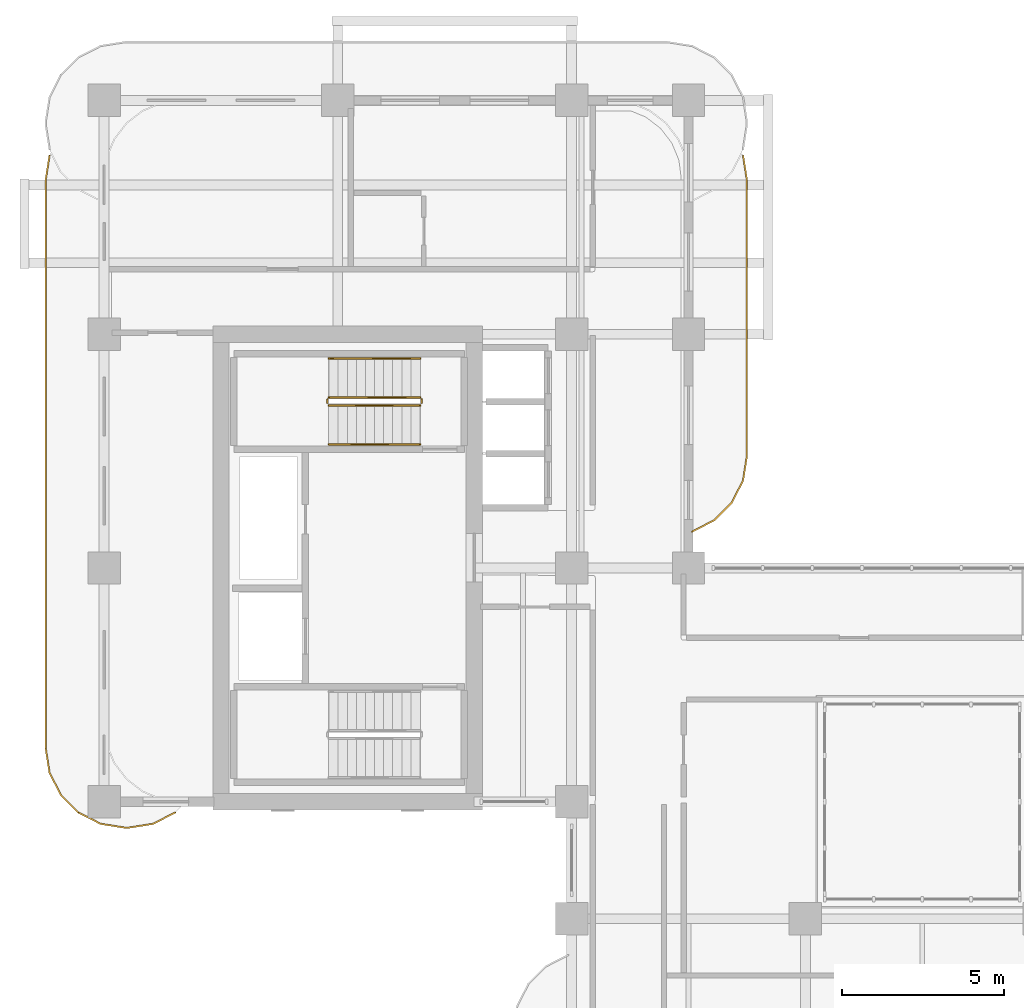
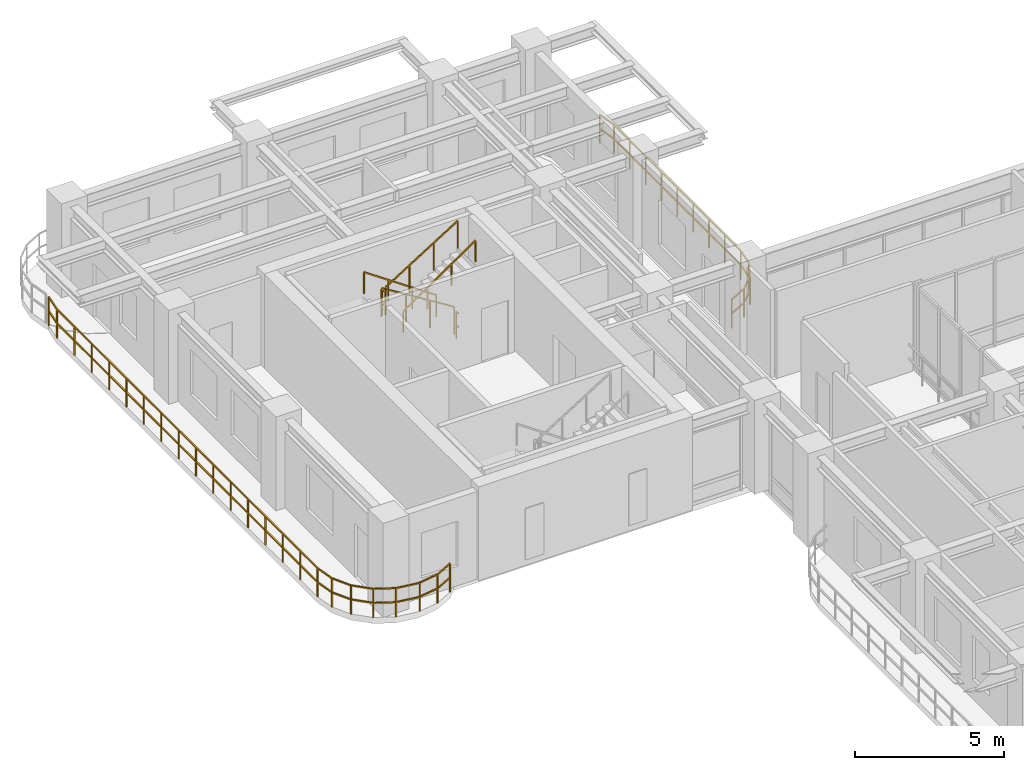
# One storey, part 20 of 21: 8 railings.
"""IFC4 building model written with IfcOpenShell, lengths in metres."""

from ifc_helpers import new_model, si_unit, derived_unit, direction, frame, origin, origin_2d, place, context, subcontext, project, spatial, rectangle, extrude, material, type_object, element, save


model = new_model("IFC4")

# Units and contexts
model_context = context("Model", 3, precision=1e-05, world=origin(), true_north=direction((0.0, 1.0)))
body_context = subcontext(model_context, "Body", "Model", "MODEL_VIEW")
ifc_project = project(units=[si_unit("LENGTHUNIT", "METRE"), si_unit("AREAUNIT", "SQUARE_METRE"), si_unit("VOLUMEUNIT", "CUBIC_METRE"), si_unit("PLANEANGLEUNIT", "RADIAN"), si_unit("MASSUNIT", "GRAM", prefix="KILO"), si_unit("THERMODYNAMICTEMPERATUREUNIT", "KELVIN"), si_unit("POWERUNIT", "WATT"), derived_unit("THERMALTRANSMITTANCEUNIT", [(si_unit("POWERUNIT", "WATT"), 1), (si_unit("AREAUNIT", "SQUARE_METRE"), -1), (si_unit("THERMODYNAMICTEMPERATUREUNIT", "KELVIN"), -1)])], contexts=[model_context])

# Site, building, storey
site_placement = place(None, origin())
site = spatial("IfcSite", under=ifc_project, at=site_placement, CompositionType="ELEMENT")
building_placement = place(site_placement, origin())
building = spatial("IfcBuilding", under=site, at=building_placement, Name="Zahravan Archway Hotel and Residences", CompositionType="ELEMENT")
storey_placement = place(building_placement, frame((0.0, 0.0, 165.699951171875)))
storey = spatial("IfcBuildingStorey", under=building, at=storey_placement, Name="L41", CompositionType="ELEMENT", Elevation=165.699951171875)

# Railings
ifc_material_1 = material(Name="Bronze & Laminated Glass Balustrade", Category="glass")
railing_type_1 = type_object("IfcRailingType", Name="RL-BAL-1200", PredefinedType="BALUSTRADE", material=ifc_material_1)
railing_1_placement = place(storey_placement, frame((2.190185546875, 24.867919921875, 0.0)))
element("IfcRailing", 1, at=railing_1_placement, inside=storey, type_object=railing_type_1, Name="L41 Balustrade RL-SLB-BAL-L41-WB-1", PredefinedType="BALUSTRADE", context=body_context, shape_type="SweptSolid", body=[
    extrude(rectangle(XDim=0.048095703125, YDim=0.048095703125, at=origin_2d()), frame((0.0, 0.0, 1.17578125), z_axis=(-0.891090529897, -0.453825591531, 0.0), x_axis=(0.453825591531, -0.891090529897, 0.0)), (0.0, 0.0, 1.0), 0.7666015625),
    extrude(rectangle(XDim=0.048095703125, YDim=0.048095703125, at=origin_2d()), frame((0.0, 0.0, 0.60009765625), z_axis=(-0.891090529897, -0.453825591531, 0.0), x_axis=(0.453825591531, -0.891090529897, 0.0)), (0.0, 0.0, 1.0), 0.7666015625),
    extrude(rectangle(XDim=0.048095703125, YDim=0.048095703125, at=origin_2d()), frame((-0.68310546875, -0.347900390625, 1.17578125), z_axis=(-0.987646484274, -0.156698507018, 0.0), x_axis=(0.156698507018, -0.987646484274, 0.0)), (0.0, 0.0, 1.0), 0.7666015625),
    extrude(rectangle(XDim=0.048095703125, YDim=0.048095703125, at=origin_2d()), frame((-0.68310546875, -0.347900390625, 0.60009765625), z_axis=(-0.987646484274, -0.156698507018, 0.0), x_axis=(0.156698507018, -0.987646484274, 0.0)), (0.0, 0.0, 1.0), 0.7666015625),
    extrude(rectangle(XDim=0.048095703125, YDim=0.048095703125, at=origin_2d()), frame((-1.440185546875, -0.468017578125, 1.17578125), z_axis=(-1.0, 0.0, 0.0), x_axis=(0.0, -1.0, 0.0)), (0.0, 0.0, 1.0), 0.10009765625),
    extrude(rectangle(XDim=0.048095703125, YDim=0.048095703125, at=origin_2d()), frame((-1.440185546875, -0.468017578125, 0.60009765625), z_axis=(-1.0, 0.0, 0.0), x_axis=(0.0, -1.0, 0.0)), (0.0, 0.0, 1.0), 0.10009765625),
    extrude(rectangle(XDim=0.048095703125, YDim=0.048095703125, at=origin_2d()), frame((-1.540283203125, -0.468017578125, 1.17578125), z_axis=(-0.987646484274, 0.156698507018, 0.0), x_axis=(-0.156698507018, -0.987646484274, 0.0)), (0.0, 0.0, 1.0), 0.7666015625),
    extrude(rectangle(XDim=0.048095703125, YDim=0.048095703125, at=origin_2d()), frame((-1.540283203125, -0.468017578125, 0.60009765625), z_axis=(-0.987646484274, 0.156698507018, 0.0), x_axis=(-0.156698507018, -0.987646484274, 0.0)), (0.0, 0.0, 1.0), 0.7666015625),
    extrude(rectangle(XDim=0.048095703125, YDim=0.048095703125, at=origin_2d()), frame((-2.29736328125, -0.347900390625, 1.17578125), z_axis=(-0.891024909783, 0.453954414172, 0.0), x_axis=(-0.453954414172, -0.891024909783, 0.0)), (0.0, 0.0, 1.0), 0.766357421875),
    extrude(rectangle(XDim=0.048095703125, YDim=0.048095703125, at=origin_2d()), frame((-2.29736328125, -0.347900390625, 0.60009765625), z_axis=(-0.891024909783, 0.453954414172, 0.0), x_axis=(-0.453954414172, -0.891024909783, 0.0)), (0.0, 0.0, 1.0), 0.766357421875),
    extrude(rectangle(XDim=0.048095703125, YDim=0.048095703125, at=origin_2d()), frame((-2.980224609375, 0.0, 1.17578125), z_axis=(-0.707106781187, 0.707106781187, 0.0), x_axis=(-0.707106781187, -0.707106781187, 0.0)), (0.0, 0.0, 1.0), 0.7666015625),
    extrude(rectangle(XDim=0.048095703125, YDim=0.048095703125, at=origin_2d()), frame((-2.980224609375, 0.0, 0.60009765625), z_axis=(-0.707106781187, 0.707106781187, 0.0), x_axis=(-0.707106781187, -0.707106781187, 0.0)), (0.0, 0.0, 1.0), 0.7666015625),
    extrude(rectangle(XDim=0.048095703125, YDim=0.048095703125, at=origin_2d()), frame((-3.522216796875, 0.5419921875, 1.17578125), z_axis=(-0.454078418624, 0.890961721815, 0.0), x_axis=(-0.890961721815, -0.454078418624, 0.0)), (0.0, 0.0, 1.0), 0.7666015625),
    extrude(rectangle(XDim=0.048095703125, YDim=0.048095703125, at=origin_2d()), frame((-3.522216796875, 0.5419921875, 0.60009765625), z_axis=(-0.454078418624, 0.890961721815, 0.0), x_axis=(-0.890961721815, -0.454078418624, 0.0)), (0.0, 0.0, 1.0), 0.7666015625),
    extrude(rectangle(XDim=0.048095703125, YDim=0.048095703125, at=origin_2d()), frame((-3.870361328125, 1.22509765625, 1.17578125), z_axis=(-0.156387811283, 0.987695728695, 0.0), x_axis=(-0.987695728695, -0.156387811283, 0.0)), (0.0, 0.0, 1.0), 0.7666015625),
    extrude(rectangle(XDim=0.048095703125, YDim=0.048095703125, at=origin_2d()), frame((-3.870361328125, 1.22509765625, 0.60009765625), z_axis=(-0.156387811283, 0.987695728695, 0.0), x_axis=(-0.987695728695, -0.156387811283, 0.0)), (0.0, 0.0, 1.0), 0.7666015625),
    extrude(rectangle(XDim=0.048095703125, YDim=0.048095703125, at=origin_2d()), frame((-3.990234375, 1.982177734375, 1.17578125), z_axis=(0.0, 1.0, 0.0), x_axis=(-1.0, 0.0, 0.0)), (0.0, 0.0, 1.0), 17.5),
    extrude(rectangle(XDim=0.048095703125, YDim=0.048095703125, at=origin_2d()), frame((-3.990234375, 1.982177734375, 0.60009765625), z_axis=(0.0, 1.0, 0.0), x_axis=(-1.0, 0.0, 0.0)), (0.0, 0.0, 1.0), 17.5),
    extrude(rectangle(XDim=0.048095703125, YDim=0.048095703125, at=origin_2d()), frame((-3.990234375, 19.482177734375, 1.17578125), z_axis=(0.156387811283, 0.987695728695, 0.0), x_axis=(-0.987695728695, 0.156387811283, 0.0)), (0.0, 0.0, 1.0), 0.7666015625),
    extrude(rectangle(XDim=0.048095703125, YDim=0.048095703125, at=origin_2d()), frame((-3.990234375, 19.482177734375, 0.60009765625), z_axis=(0.156387811283, 0.987695728695, 0.0), x_axis=(-0.987695728695, 0.156387811283, 0.0)), (0.0, 0.0, 1.0), 0.7666015625),
    extrude(rectangle(XDim=0.0419921875, YDim=0.0419921875, at=origin_2d()), origin(), (0.0, 0.0, 1.0), 1.15185546875),
    extrude(rectangle(XDim=0.0419921875, YDim=0.0419921875, at=origin_2d()), frame((-0.68310546875, -0.347900390625, 0.0)), (0.0, 0.0, 1.0), 1.15185546875),
    extrude(rectangle(XDim=0.0419921875, YDim=0.0419921875, at=origin_2d()), frame((-1.440185546875, -0.468017578125, 0.0)), (0.0, 0.0, 1.0), 1.15185546875),
    extrude(rectangle(XDim=0.0419921875, YDim=0.0419921875, at=origin_2d()), frame((-2.29736328125, -0.347900390625, 0.0)), (0.0, 0.0, 1.0), 1.15185546875),
    extrude(rectangle(XDim=0.0419921875, YDim=0.0419921875, at=origin_2d()), frame((-2.980224609375, 0.0, 0.0)), (0.0, 0.0, 1.0), 1.15185546875),
    extrude(rectangle(XDim=0.0419921875, YDim=0.0419921875, at=origin_2d()), frame((-3.522216796875, 0.5419921875, 0.0)), (0.0, 0.0, 1.0), 1.15185546875),
    extrude(rectangle(XDim=0.0419921875, YDim=0.0419921875, at=origin_2d()), frame((-3.870361328125, 1.22509765625, 0.0)), (0.0, 0.0, 1.0), 1.15185546875),
    extrude(rectangle(XDim=0.0419921875, YDim=0.0419921875, at=origin_2d()), frame((-3.990234375, 1.982177734375, 0.0)), (0.0, 0.0, 1.0), 1.15185546875),
    extrude(rectangle(XDim=0.0419921875, YDim=0.0419921875, at=origin_2d()), frame((-3.990234375, 3.14892578125, 0.0)), (0.0, 0.0, 1.0), 1.15185546875),
    extrude(rectangle(XDim=0.0419921875, YDim=0.0419921875, at=origin_2d()), frame((-3.990234375, 4.3154296875, 0.0)), (0.0, 0.0, 1.0), 1.15185546875),
    extrude(rectangle(XDim=0.0419921875, YDim=0.0419921875, at=origin_2d()), frame((-3.990234375, 5.482177734375, 0.0)), (0.0, 0.0, 1.0), 1.15185546875),
    extrude(rectangle(XDim=0.0419921875, YDim=0.0419921875, at=origin_2d()), frame((-3.990234375, 6.64892578125, 0.0)), (0.0, 0.0, 1.0), 1.15185546875),
    extrude(rectangle(XDim=0.0419921875, YDim=0.0419921875, at=origin_2d()), frame((-3.990234375, 7.8154296875, 0.0)), (0.0, 0.0, 1.0), 1.15185546875),
    extrude(rectangle(XDim=0.0419921875, YDim=0.0419921875, at=origin_2d()), frame((-3.990234375, 8.982177734375, 0.0)), (0.0, 0.0, 1.0), 1.15185546875),
    extrude(rectangle(XDim=0.0419921875, YDim=0.0419921875, at=origin_2d()), frame((-3.990234375, 10.14892578125, 0.0)), (0.0, 0.0, 1.0), 1.15185546875),
    extrude(rectangle(XDim=0.0419921875, YDim=0.0419921875, at=origin_2d()), frame((-3.990234375, 11.3154296875, 0.0)), (0.0, 0.0, 1.0), 1.15185546875),
    extrude(rectangle(XDim=0.0419921875, YDim=0.0419921875, at=origin_2d()), frame((-3.990234375, 12.482177734375, 0.0)), (0.0, 0.0, 1.0), 1.15185546875),
    extrude(rectangle(XDim=0.0419921875, YDim=0.0419921875, at=origin_2d()), frame((-3.990234375, 13.64892578125, 0.0)), (0.0, 0.0, 1.0), 1.15185546875),
    extrude(rectangle(XDim=0.0419921875, YDim=0.0419921875, at=origin_2d()), frame((-3.990234375, 14.8154296875, 0.0)), (0.0, 0.0, 1.0), 1.15185546875),
    extrude(rectangle(XDim=0.0419921875, YDim=0.0419921875, at=origin_2d()), frame((-3.990234375, 15.982177734375, 0.0)), (0.0, 0.0, 1.0), 1.15185546875),
    extrude(rectangle(XDim=0.0419921875, YDim=0.0419921875, at=origin_2d()), frame((-3.990234375, 17.14892578125, 0.0)), (0.0, 0.0, 1.0), 1.15185546875),
    extrude(rectangle(XDim=0.0419921875, YDim=0.0419921875, at=origin_2d()), frame((-3.990234375, 18.3154296875, 0.0)), (0.0, 0.0, 1.0), 1.15185546875),
    extrude(rectangle(XDim=0.0419921875, YDim=0.0419921875, at=origin_2d()), frame((-3.990234375, 19.482177734375, 0.0)), (0.0, 0.0, 1.0), 1.15185546875),
    extrude(rectangle(XDim=0.0419921875, YDim=0.0419921875, at=origin_2d()), frame((-3.870361328125, 20.2392578125, 0.0)), (0.0, 0.0, 1.0), 1.15185546875),
])
railing_2_placement = place(storey_placement, frame((19.68017578125, 45.107177734375, 0.0)))
element("IfcRailing", 2, at=railing_2_placement, inside=storey, type_object=railing_type_1, Name="L41 Balustrade RL-SLB-BAL-L41-EB-1", PredefinedType="BALUSTRADE", context=body_context, shape_type="SweptSolid", body=[
    extrude(rectangle(XDim=0.048095703125, YDim=0.048095703125, at=origin_2d()), frame((0.0, 0.0, 1.17578125), z_axis=(0.156387811283, -0.987695728695, 0.0), x_axis=(0.987695728695, 0.156387811283, 0.0)), (0.0, 0.0, 1.0), 0.7666015625),
    extrude(rectangle(XDim=0.048095703125, YDim=0.048095703125, at=origin_2d()), frame((0.0, 0.0, 0.60009765625), z_axis=(0.156387811283, -0.987695728695, 0.0), x_axis=(0.987695728695, 0.156387811283, 0.0)), (0.0, 0.0, 1.0), 0.7666015625),
    extrude(rectangle(XDim=0.048095703125, YDim=0.048095703125, at=origin_2d()), frame((0.119873046875, -0.757080078125, 1.17578125), z_axis=(0.0, -1.0, 0.0), x_axis=(1.0, 0.0, 0.0)), (0.0, 0.0, 1.0), 8.5),
    extrude(rectangle(XDim=0.048095703125, YDim=0.048095703125, at=origin_2d()), frame((0.119873046875, -0.757080078125, 0.60009765625), z_axis=(0.0, -1.0, 0.0), x_axis=(1.0, 0.0, 0.0)), (0.0, 0.0, 1.0), 8.5),
    extrude(rectangle(XDim=0.048095703125, YDim=0.048095703125, at=origin_2d()), frame((0.119873046875, -9.257080078125, 1.17578125), z_axis=(-0.156387811283, -0.987695728695, 0.0), x_axis=(0.987695728695, -0.156387811283, 0.0)), (0.0, 0.0, 1.0), 0.7666015625),
    extrude(rectangle(XDim=0.048095703125, YDim=0.048095703125, at=origin_2d()), frame((0.119873046875, -9.257080078125, 0.60009765625), z_axis=(-0.156387811283, -0.987695728695, 0.0), x_axis=(0.987695728695, -0.156387811283, 0.0)), (0.0, 0.0, 1.0), 0.7666015625),
    extrude(rectangle(XDim=0.048095703125, YDim=0.048095703125, at=origin_2d()), frame((0.0, -10.01416015625, 1.17578125), z_axis=(-0.454078418624, -0.890961721815, 0.0), x_axis=(0.890961721815, -0.454078418624, 0.0)), (0.0, 0.0, 1.0), 0.7666015625),
    extrude(rectangle(XDim=0.048095703125, YDim=0.048095703125, at=origin_2d()), frame((0.0, -10.01416015625, 0.60009765625), z_axis=(-0.454078418624, -0.890961721815, 0.0), x_axis=(0.890961721815, -0.454078418624, 0.0)), (0.0, 0.0, 1.0), 0.7666015625),
    extrude(rectangle(XDim=0.048095703125, YDim=0.048095703125, at=origin_2d()), frame((-0.34814453125, -10.697265625, 1.17578125), z_axis=(-0.707106781187, -0.707106781187, 0.0), x_axis=(0.707106781187, -0.707106781187, 0.0)), (0.0, 0.0, 1.0), 0.7666015625),
    extrude(rectangle(XDim=0.048095703125, YDim=0.048095703125, at=origin_2d()), frame((-0.34814453125, -10.697265625, 0.60009765625), z_axis=(-0.707106781187, -0.707106781187, 0.0), x_axis=(0.707106781187, -0.707106781187, 0.0)), (0.0, 0.0, 1.0), 0.7666015625),
    extrude(rectangle(XDim=0.048095703125, YDim=0.048095703125, at=origin_2d()), frame((-0.89013671875, -11.2392578125, 1.17578125), z_axis=(-0.891024909783, -0.453954414172, 0.0), x_axis=(0.453954414172, -0.891024909783, 0.0)), (0.0, 0.0, 1.0), 0.766357421875),
    extrude(rectangle(XDim=0.048095703125, YDim=0.048095703125, at=origin_2d()), frame((-0.89013671875, -11.2392578125, 0.60009765625), z_axis=(-0.891024909783, -0.453954414172, 0.0), x_axis=(0.453954414172, -0.891024909783, 0.0)), (0.0, 0.0, 1.0), 0.766357421875),
    extrude(rectangle(XDim=0.0419921875, YDim=0.0419921875, at=origin_2d()), origin(), (0.0, 0.0, 1.0), 1.15185546875),
    extrude(rectangle(XDim=0.0419921875, YDim=0.0419921875, at=origin_2d()), frame((0.119873046875, -0.757080078125, 0.0)), (0.0, 0.0, 1.0), 1.15185546875),
    extrude(rectangle(XDim=0.0419921875, YDim=0.0419921875, at=origin_2d()), frame((0.119873046875, -1.819580078125, 0.0)), (0.0, 0.0, 1.0), 1.15185546875),
    extrude(rectangle(XDim=0.0419921875, YDim=0.0419921875, at=origin_2d()), frame((0.119873046875, -2.882080078125, 0.0)), (0.0, 0.0, 1.0), 1.15185546875),
    extrude(rectangle(XDim=0.0419921875, YDim=0.0419921875, at=origin_2d()), frame((0.119873046875, -3.944580078125, 0.0)), (0.0, 0.0, 1.0), 1.15185546875),
    extrude(rectangle(XDim=0.0419921875, YDim=0.0419921875, at=origin_2d()), frame((0.119873046875, -5.007080078125, 0.0)), (0.0, 0.0, 1.0), 1.15185546875),
    extrude(rectangle(XDim=0.0419921875, YDim=0.0419921875, at=origin_2d()), frame((0.119873046875, -6.069580078125, 0.0)), (0.0, 0.0, 1.0), 1.15185546875),
    extrude(rectangle(XDim=0.0419921875, YDim=0.0419921875, at=origin_2d()), frame((0.119873046875, -7.132080078125, 0.0)), (0.0, 0.0, 1.0), 1.15185546875),
    extrude(rectangle(XDim=0.0419921875, YDim=0.0419921875, at=origin_2d()), frame((0.119873046875, -8.194580078125, 0.0)), (0.0, 0.0, 1.0), 1.15185546875),
    extrude(rectangle(XDim=0.0419921875, YDim=0.0419921875, at=origin_2d()), frame((0.119873046875, -9.257080078125, 0.0)), (0.0, 0.0, 1.0), 1.15185546875),
    extrude(rectangle(XDim=0.0419921875, YDim=0.0419921875, at=origin_2d()), frame((0.0, -10.01416015625, 0.0)), (0.0, 0.0, 1.0), 1.15185546875),
    extrude(rectangle(XDim=0.0419921875, YDim=0.0419921875, at=origin_2d()), frame((-0.34814453125, -10.697265625, 0.0)), (0.0, 0.0, 1.0), 1.15185546875),
    extrude(rectangle(XDim=0.0419921875, YDim=0.0419921875, at=origin_2d()), frame((-0.89013671875, -11.2392578125, 0.0)), (0.0, 0.0, 1.0), 1.15185546875),
    extrude(rectangle(XDim=0.0419921875, YDim=0.0419921875, at=origin_2d()), frame((-1.572998046875, -11.587158203125, 0.0)), (0.0, 0.0, 1.0), 1.15185546875),
])
ifc_material_2 = material(Name="Painted Tubular Steel", Category="steel")
railing_type_2 = type_object("IfcRailingType", Name="RL-STG-1150", PredefinedType="GUARDRAIL", material=ifc_material_2)
railing_3_placement = place(storey_placement, frame((9.72998046875, 37.64990234375, 0.175048828125)))
element("IfcRailing", 3, at=railing_3_placement, inside=storey, type_object=railing_type_2, Name="L41 ST-B2 stair guard 1", PredefinedType="GUARDRAIL", context=body_context, shape_type="SweptSolid", body=[
    extrude(rectangle(XDim=0.048095703125, YDim=0.048095703125, at=origin_2d()), frame((0.0, 0.0, 1.1259765625), z_axis=(-0.848002457836, 0.0, 0.529992293815), x_axis=(0.0, -1.0, 0.0)), (0.0, 0.0, 1.0), 3.302001953125),
    extrude(rectangle(XDim=0.0419921875, YDim=0.0419921875, at=origin_2d()), origin(), (0.0, 0.0, 1.0), 1.101806640625),
    extrude(rectangle(XDim=0.0419921875, YDim=0.0419921875, at=origin_2d()), frame((-0.933349609375, 0.0, 0.583251953125)), (0.0, 0.0, 1.0), 1.101806640625),
    extrude(rectangle(XDim=0.0419921875, YDim=0.0419921875, at=origin_2d()), frame((-1.86669921875, 0.0, 1.166748046875)), (0.0, 0.0, 1.0), 1.101806640625),
    extrude(rectangle(XDim=0.0419921875, YDim=0.0419921875, at=origin_2d()), frame((-2.800048828125, 0.0, 1.75)), (0.0, 0.0, 1.0), 1.101806640625),
])
railing_4_placement = place(storey_placement, frame((6.8798828125, 37.60009765625, 1.925048828125)))
element("IfcRailing", 4, at=railing_4_placement, inside=storey, type_object=railing_type_2, Name="L41 ST-B2 stair guard 2", PredefinedType="GUARDRAIL", context=body_context, shape_type="SweptSolid", body=[
    extrude(rectangle(XDim=0.048095703125, YDim=0.048095703125, at=origin_2d()), frame((0.0, 0.0, 1.1259765625), z_axis=(0.0, -1.0, 0.0), x_axis=(1.0, 0.0, 0.0)), (0.0, 0.0, 1.0), 0.14013671875),
    extrude(rectangle(XDim=0.048095703125, YDim=0.048095703125, at=origin_2d()), frame((0.0, 0.0, 0.574951171875), z_axis=(0.0, -1.0, 0.0), x_axis=(1.0, 0.0, 0.0)), (0.0, 0.0, 1.0), 0.14013671875),
    extrude(rectangle(XDim=0.0419921875, YDim=0.0419921875, at=origin_2d()), origin(), (0.0, 0.0, 1.0), 1.101806640625),
])
railing_5_placement = place(storey_placement, frame((6.929931640625, 37.409912109375, 2.10009765625)))
element("IfcRailing", 5, at=railing_5_placement, inside=storey, type_object=railing_type_2, Name="L41 ST-B2 stair guard 3", PredefinedType="GUARDRAIL", context=body_context, shape_type="SweptSolid", body=[
    extrude(rectangle(XDim=0.048095703125, YDim=0.048095703125, at=origin_2d()), frame((0.0, 0.0, 1.1259765625), z_axis=(0.848002457836, 0.0, 0.529992293815), x_axis=(0.0, 1.0, 0.0)), (0.0, 0.0, 1.0), 3.302001953125),
    extrude(rectangle(XDim=0.0419921875, YDim=0.0419921875, at=origin_2d()), origin(), (0.0, 0.0, 1.0), 1.101806640625),
    extrude(rectangle(XDim=0.0419921875, YDim=0.0419921875, at=origin_2d()), frame((0.933349609375, 0.0, 0.583251953125)), (0.0, 0.0, 1.0), 1.101806640625),
    extrude(rectangle(XDim=0.0419921875, YDim=0.0419921875, at=origin_2d()), frame((1.86669921875, 0.0, 1.166748046875)), (0.0, 0.0, 1.0), 1.101806640625),
    extrude(rectangle(XDim=0.0419921875, YDim=0.0419921875, at=origin_2d()), frame((2.800048828125, 0.0, 1.75)), (0.0, 0.0, 1.0), 1.101806640625),
])
railing_6_placement = place(storey_placement, frame((9.780029296875, 37.60009765625, 0.0)))
element("IfcRailing", 6, at=railing_6_placement, inside=storey, type_object=railing_type_2, Name="L41 ST-B2 stair guard 4", PredefinedType="GUARDRAIL", context=body_context, shape_type="SweptSolid", body=[
    extrude(rectangle(XDim=0.048095703125, YDim=0.048095703125, at=origin_2d()), frame((0.0, 0.0, 1.1259765625), z_axis=(0.0, -1.0, 0.0), x_axis=(1.0, 0.0, 0.0)), (0.0, 0.0, 1.0), 0.14013671875),
    extrude(rectangle(XDim=0.048095703125, YDim=0.048095703125, at=origin_2d()), frame((0.0, 0.0, 0.574951171875), z_axis=(0.0, -1.0, 0.0), x_axis=(1.0, 0.0, 0.0)), (0.0, 0.0, 1.0), 0.14013671875),
    extrude(rectangle(XDim=0.0419921875, YDim=0.0419921875, at=origin_2d()), origin(), (0.0, 0.0, 1.0), 1.101806640625),
])
ifc_material_3 = material(Name="Brushed Stainless Steel", Category="steel")
railing_type_3 = type_object("IfcRailingType", Name="RL-STH-900", PredefinedType="HANDRAIL", material=ifc_material_3)
railing_7_placement = place(storey_placement, frame((9.72998046875, 38.85009765625, 0.175048828125)))
element("IfcRailing", 7, at=railing_7_placement, inside=storey, type_object=railing_type_3, Name="L41 ST-B2 stair handrail 1", PredefinedType="HANDRAIL", context=body_context, shape_type="SweptSolid", body=[
    extrude(rectangle(XDim=0.048095703125, YDim=0.048095703125, at=origin_2d()), frame((0.0, 0.0, 0.8759765625), z_axis=(-0.824039827795, 0.0, 0.566531872191), x_axis=(0.0, -1.0, 0.0)), (0.0, 0.0, 1.0), 3.39794921875),
    extrude(rectangle(XDim=0.0419921875, YDim=0.0419921875, at=origin_2d()), origin(), (0.0, 0.0, 1.0), 0.851806640625),
    extrude(rectangle(XDim=0.0419921875, YDim=0.0419921875, at=origin_2d()), frame((-0.933349609375, 0.0, 0.6416015625)), (0.0, 0.0, 1.0), 0.851806640625),
    extrude(rectangle(XDim=0.0419921875, YDim=0.0419921875, at=origin_2d()), frame((-1.86669921875, 0.0, 1.283447265625)), (0.0, 0.0, 1.0), 0.851806640625),
    extrude(rectangle(XDim=0.0419921875, YDim=0.0419921875, at=origin_2d()), frame((-2.800048828125, 0.0, 1.925048828125)), (0.0, 0.0, 1.0), 0.851806640625),
])
railing_8_placement = place(storey_placement, frame((6.929931640625, 36.2099609375, 2.10009765625)))
element("IfcRailing", 8, at=railing_8_placement, inside=storey, type_object=railing_type_3, Name="L41 ST-B2 stair handrail 2", PredefinedType="HANDRAIL", context=body_context, shape_type="SweptSolid", body=[
    extrude(rectangle(XDim=0.048095703125, YDim=0.048095703125, at=origin_2d()), frame((0.0, 0.0, 0.8759765625), z_axis=(0.824039827795, 0.0, 0.566531872191), x_axis=(0.0, 1.0, 0.0)), (0.0, 0.0, 1.0), 3.39794921875),
    extrude(rectangle(XDim=0.0419921875, YDim=0.0419921875, at=origin_2d()), origin(), (0.0, 0.0, 1.0), 0.851806640625),
    extrude(rectangle(XDim=0.0419921875, YDim=0.0419921875, at=origin_2d()), frame((0.933349609375, 0.0, 0.6416015625)), (0.0, 0.0, 1.0), 0.851806640625),
    extrude(rectangle(XDim=0.0419921875, YDim=0.0419921875, at=origin_2d()), frame((1.86669921875, 0.0, 1.283447265625)), (0.0, 0.0, 1.0), 0.851806640625),
    extrude(rectangle(XDim=0.0419921875, YDim=0.0419921875, at=origin_2d()), frame((2.800048828125, 0.0, 1.925048828125)), (0.0, 0.0, 1.0), 0.851806640625),
])

save(model, "model.ifc")
